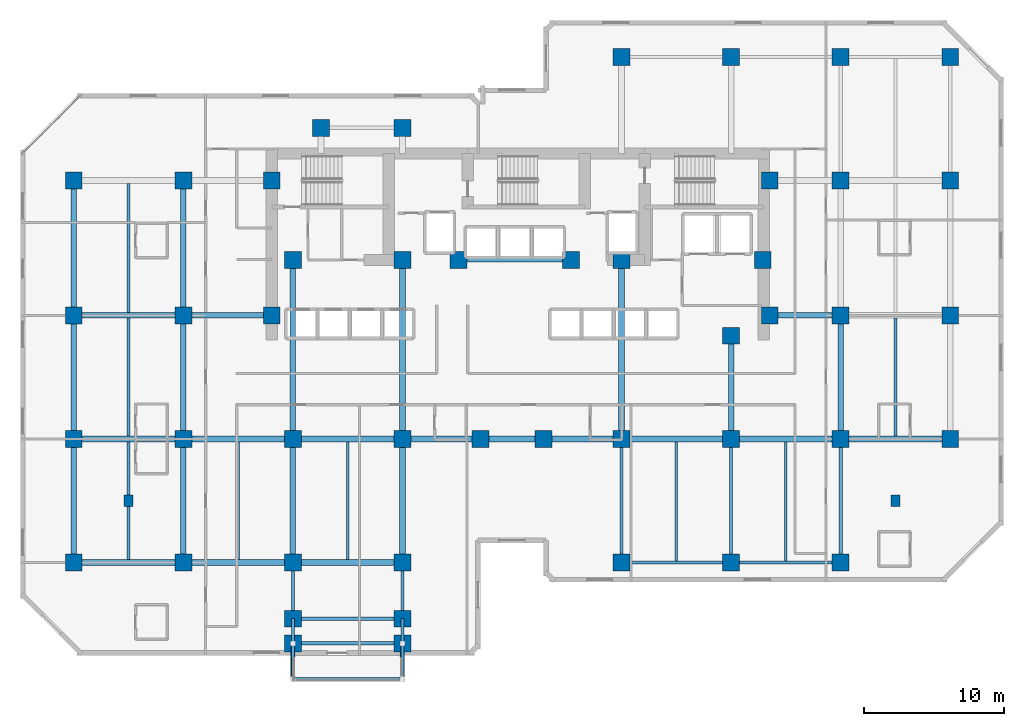
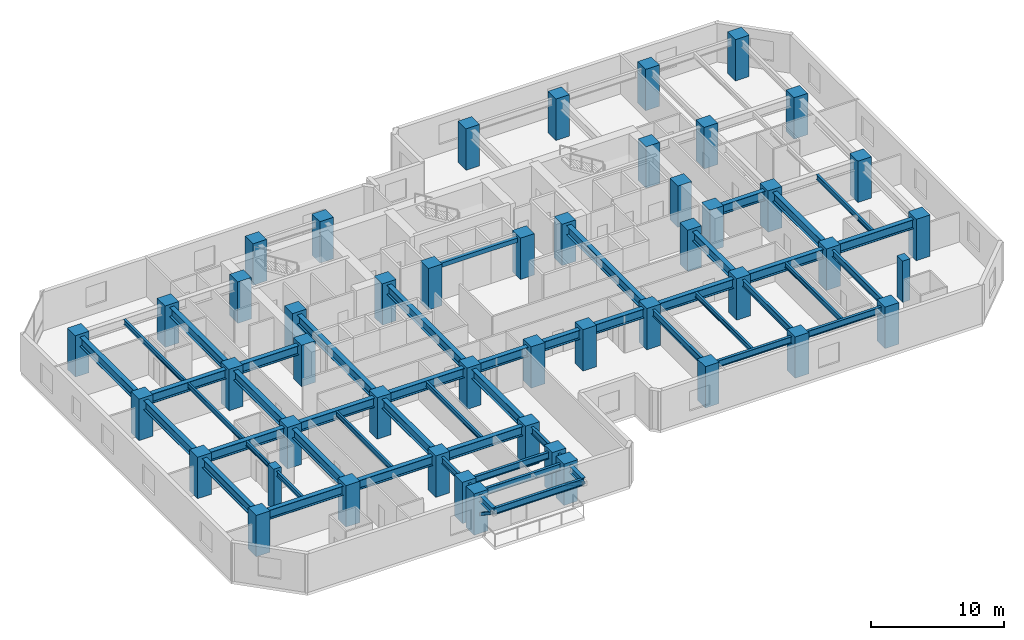
# One storey, part 1 of 12: 51 beams, 48 columns, 2 members.
"""IFC4 building model written with IfcOpenShell, lengths in metres."""

from ifc_helpers import new_model, si_unit, direction, frame, origin, origin_2d, place, context, subcontext, project, spatial, rectangle, hollow_rectangle, i_section, extrude, material, material_profile, profile_set, type_object, element, save


model = new_model("IFC4")

# Units and contexts
model_context = context("Model", 3, precision=1e-05, world=origin(), true_north=direction((0.0, 1.0)))
body_context = subcontext(model_context, "Body", "Model", "MODEL_VIEW")
ifc_project = project(units=[si_unit("LENGTHUNIT", "METRE"), si_unit("AREAUNIT", "SQUARE_METRE"), si_unit("VOLUMEUNIT", "CUBIC_METRE"), si_unit("PLANEANGLEUNIT", "RADIAN"), si_unit("MASSUNIT", "GRAM", prefix="KILO")], contexts=[model_context])

# Site, building, storey
site_placement = place(None, origin())
site = spatial("IfcSite", under=ifc_project, at=site_placement, CompositionType="ELEMENT")
building_placement = place(site_placement, origin())
building = spatial("IfcBuilding", under=site, at=building_placement, Name="Kestravale Grand Hotel", CompositionType="ELEMENT")
storey_placement = place(building_placement, frame((0.0, 0.0, 99.39990234375)))
storey = spatial("IfcBuildingStorey", under=building, at=storey_placement, Name="L24", CompositionType="ELEMENT", Elevation=99.39990234375)

# Columns
ifc_material_1 = material(Name="Precast concrete f'c 45 MPa", Category="concrete")
ifc_material_profile_1 = material_profile(ifc_material_1, rectangle(XDim=0.64990234375, YDim=0.85009765625, at=origin_2d()))
ifc_profile_set_1 = profile_set([ifc_material_profile_1], Name="Precast concrete f'c 45 MPa")
column_type_1 = type_object("IfcColumnType", Name="C-Z1-PIL850", PredefinedType="PILASTER", material=ifc_profile_set_1)
for number, where, z_axis, x_axis, name in (
    (1, (11.699951171875, 15.60009765625, 0.0), (0.0, 0.0, 1.0), (1.0, 0.0, 0.0), "L24 Art Deco fluted pilaster P1"),
    (2, (66.300048828125, 15.60009765625, 0.0), (0.0, 0.0, 1.0), (1.0, 0.0, 0.0), "L24 Art Deco fluted pilaster P2"),
):
    element("IfcColumn", number, at=place(storey_placement, frame(where, z_axis=z_axis, x_axis=x_axis)), inside=storey, type_object=column_type_1, Name=name, PredefinedType="PILASTER", context=body_context, shape_type="SweptSolid", body=[
        extrude(rectangle(XDim=0.64990234375, YDim=0.85009765625, at=origin_2d()), origin(), (0.0, 0.0, 1.0), 3.800048828125),
    ])
ifc_material_2 = material(Name="Concrete f'c 60 MPa", Category="concrete")
ifc_material_profile_2 = material_profile(ifc_material_2, rectangle(XDim=1.199951171875, YDim=1.199951171875, at=origin_2d()))
ifc_profile_set_2 = profile_set([ifc_material_profile_2], Name="Concrete f'c 60 MPa")
column_type_2 = type_object("IfcColumnType", Name="C-Z2-1200", PredefinedType="COLUMN", material=ifc_profile_set_2)
for number, where, z_axis, x_axis, name in (
    (3, (7.800048828125, 11.199951171875, 0.0), (0.0, 0.0, 1.0), (1.0, 0.0, 0.0), "L24 column 2-C"),
    (4, (7.800048828125, 20.0, 0.0), (0.0, 0.0, 1.0), (1.0, 0.0, 0.0), "L24 column 2-D"),
    (5, (7.800048828125, 28.800048828125, 0.0), (0.0, 0.0, 1.0), (1.0, 0.0, 0.0), "L24 column 2-E"),
    (6, (7.800048828125, 38.39990234375, 0.0), (0.0, 0.0, 1.0), (1.0, 0.0, 0.0), "L24 column 2-F"),
    (7, (15.60009765625, 11.199951171875, 0.0), (0.0, 0.0, 1.0), (1.0, 0.0, 0.0), "L24 column 3-C"),
    (8, (15.60009765625, 20.0, 0.0), (0.0, 0.0, 1.0), (1.0, 0.0, 0.0), "L24 column 3-D"),
    (9, (15.60009765625, 28.800048828125, 0.0), (0.0, 0.0, 1.0), (1.0, 0.0, 0.0), "L24 column 3-E"),
    (10, (15.60009765625, 38.39990234375, 0.0), (0.0, 0.0, 1.0), (1.0, 0.0, 0.0), "L24 column 3-F"),
    (11, (23.39990234375, 11.199951171875, 0.0), (0.0, 0.0, 1.0), (1.0, 0.0, 0.0), "L24 column 4-C"),
    (12, (23.39990234375, 20.0, 0.0), (0.0, 0.0, 1.0), (1.0, 0.0, 0.0), "L24 column 4-D"),
    (13, (31.199951171875, 11.199951171875, 0.0), (0.0, 0.0, 1.0), (1.0, 0.0, 0.0), "L24 column 5-C"),
    (14, (31.199951171875, 20.0, 0.0), (0.0, 0.0, 1.0), (1.0, 0.0, 0.0), "L24 column 5-D"),
    (15, (36.75, 20.0, 0.0), (0.0, 0.0, 1.0), (1.0, 0.0, 0.0), "L24 column 6-D"),
    (16, (41.25, 20.0, 0.0), (0.0, 0.0, 1.0), (1.0, 0.0, 0.0), "L24 column 7-D"),
    (17, (46.800048828125, 11.199951171875, 0.0), (0.0, 0.0, 1.0), (1.0, 0.0, 0.0), "L24 column 8-C"),
    (18, (46.800048828125, 20.0, 0.0), (0.0, 0.0, 1.0), (1.0, 0.0, 0.0), "L24 column 8-D"),
    (19, (46.800048828125, 47.199951171875, 0.0), (0.0, 0.0, 1.0), (1.0, 0.0, 0.0), "L24 column 8-G"),
    (20, (54.60009765625, 11.199951171875, 0.0), (0.0, 0.0, 1.0), (1.0, 0.0, 0.0), "L24 column 9-C"),
    (21, (54.60009765625, 20.0, 0.0), (0.0, 0.0, 1.0), (1.0, 0.0, 0.0), "L24 column 9-D"),
    (22, (54.60009765625, 47.199951171875, 0.0), (0.0, 0.0, 1.0), (1.0, 0.0, 0.0), "L24 column 9-G"),
    (23, (62.39990234375, 11.199951171875, 0.0), (0.0, 0.0, 1.0), (1.0, 0.0, 0.0), "L24 column 10-C"),
    (24, (62.39990234375, 20.0, 0.0), (0.0, 0.0, 1.0), (1.0, 0.0, 0.0), "L24 column 10-D"),
    (25, (62.39990234375, 28.800048828125, 0.0), (0.0, 0.0, 1.0), (1.0, 0.0, 0.0), "L24 column 10-E"),
    (26, (62.39990234375, 38.39990234375, 0.0), (0.0, 0.0, 1.0), (1.0, 0.0, 0.0), "L24 column 10-F"),
    (27, (62.39990234375, 47.199951171875, 0.0), (0.0, 0.0, 1.0), (1.0, 0.0, 0.0), "L24 column 10-G"),
    (28, (70.199951171875, 20.0, 0.0), (0.0, 0.0, 1.0), (1.0, 0.0, 0.0), "L24 column 11-D"),
    (29, (70.199951171875, 28.800048828125, 0.0), (0.0, 0.0, 1.0), (1.0, 0.0, 0.0), "L24 column 11-E"),
    (30, (70.199951171875, 38.39990234375, 0.0), (0.0, 0.0, 1.0), (1.0, 0.0, 0.0), "L24 column 11-F"),
    (31, (70.199951171875, 47.199951171875, 0.0), (0.0, 0.0, 1.0), (1.0, 0.0, 0.0), "L24 column 11-G"),
    (32, (21.89990234375, 28.800048828125, 0.0), (0.0, 0.0, 1.0), (1.0, 0.0, 0.0), "L24 column CW-E"),
    (33, (21.89990234375, 38.39990234375, 0.0), (0.0, 0.0, 1.0), (1.0, 0.0, 0.0), "L24 column CW-F"),
    (34, (57.35009765625, 28.800048828125, 0.0), (0.0, 0.0, 1.0), (1.0, 0.0, 0.0), "L24 column CE-E"),
    (35, (57.35009765625, 38.39990234375, 0.0), (0.0, 0.0, 1.0), (1.0, 0.0, 0.0), "L24 column CE-F"),
    (36, (23.39990234375, 32.75, 0.0), (0.0, 0.0, 1.0), (1.0, 0.0, 0.0), "L24 column 4-CS"),
    (37, (31.199951171875, 32.75, 0.0), (0.0, 0.0, 1.0), (1.0, 0.0, 0.0), "L24 column 5-CS"),
    (38, (35.199951171875, 32.75, 0.0), (0.0, 0.0, 1.0), (1.0, 0.0, 0.0), "L24 column 6C-CS"),
    (39, (43.199951171875, 32.75, 0.0), (0.0, 0.0, 1.0), (1.0, 0.0, 0.0), "L24 column 7C-CS"),
    (40, (46.800048828125, 32.75, 0.0), (0.0, 0.0, 1.0), (1.0, 0.0, 0.0), "L24 column 8-CS"),
    (41, (54.60009765625, 27.35009765625, 0.0), (0.0, 0.0, 1.0), (1.0, 0.0, 0.0), "L24 column 9-CS"),
    (42, (56.85009765625, 32.75, 0.0), (0.0, 0.0, 1.0), (1.0, 0.0, 0.0), "L24 column 9C-CS"),
    (43, (23.39990234375, 7.199951171875, 0.0), (0.0, 0.0, 1.0), (1.0, 0.0, 0.0), "L24 column 4-BS"),
    (44, (31.199951171875, 7.199951171875, 0.0), (0.0, 0.0, 1.0), (1.0, 0.0, 0.0), "L24 column 5-BS"),
    (45, (25.39990234375, 42.14990234375, 0.0), (0.0, 0.0, 1.0), (1.0, 0.0, 0.0), "L24 column 4-FN"),
    (46, (31.199951171875, 42.14990234375, 0.0), (0.0, 0.0, 1.0), (1.0, 0.0, 0.0), "L24 column 5-FN"),
    (47, (23.39990234375, 5.449951171875, 0.0), (0.0, 0.0, 1.0), (1.0, 0.0, 0.0), "L24 column 4-B1S"),
    (48, (31.199951171875, 5.449951171875, 0.0), (0.0, 0.0, 1.0), (1.0, 0.0, 0.0), "L24 column 5-B1S"),
):
    element("IfcColumn", number, at=place(storey_placement, frame(where, z_axis=z_axis, x_axis=x_axis)), inside=storey, type_object=column_type_2, Name=name, PredefinedType="COLUMN", context=body_context, shape_type="SweptSolid", body=[
        extrude(rectangle(XDim=1.199951171875, YDim=1.199951171875, at=origin_2d()), origin(), (0.0, 0.0, 1.0), 3.800048828125),
    ])

# Beams
ifc_material_3 = material(Name="Steel ASTM A992 Grade 50", Category="steel")
ifc_material_profile_3 = material_profile(ifc_material_3, i_section(OverallWidth=0.19091796875, OverallDepth=0.45703125, WebThickness=0.009033203125, FlangeThickness=0.014404296875, FilletRadius=0.015380859375, at=origin_2d()))
ifc_profile_set_3 = profile_set([ifc_material_profile_3], Name="Steel ASTM A992 Grade 50")
beam_type_1 = type_object("IfcBeamType", Name="B-FLR-JST18", PredefinedType="JOIST", material=ifc_profile_set_3)
for number, where, z_axis, x_axis, name in (
    (49, (11.699951171875, 11.400390625, 3.3115234375), (0.0, 1.0, 0.0), (-1.0, 0.0, 0.0), "L24 floor joist 2-3/C-D #1"),
    (50, (11.699951171875, 20.200439453125, 3.3115234375), (0.0, 1.0, 0.0), (-1.0, 0.0, 0.0), "L24 floor joist 2-3/D-E #1"),
):
    element("IfcBeam", number, at=place(storey_placement, frame(where, z_axis=z_axis, x_axis=x_axis)), inside=storey, type_object=beam_type_1, Name=name, PredefinedType="JOIST", context=body_context, shape_type="SweptSolid", body=[
        extrude(i_section(OverallWidth=0.19091796875, OverallDepth=0.45703125, WebThickness=0.009033203125, FlangeThickness=0.014404296875, FilletRadius=0.015380859375, at=origin_2d()), origin(), (0.0, 0.0, 1.0), 8.399169921875),
    ])
beam_1_placement = place(storey_placement, frame((11.699951171875, 29.00048828125, 3.3115234375), z_axis=(0.0, 1.0, 0.0), x_axis=(-1.0, 0.0, 0.0)))
element("IfcBeam", 51, at=beam_1_placement, inside=storey, type_object=beam_type_1, Name="L24 floor joist 2-3/E-F #1", PredefinedType="JOIST", context=body_context, shape_type="SweptSolid", body=[
    extrude(i_section(OverallWidth=0.19091796875, OverallDepth=0.45703125, WebThickness=0.009033203125, FlangeThickness=0.014404296875, FilletRadius=0.015380859375, at=origin_2d()), origin(), (0.0, 0.0, 1.0), 9.198974609375),
])
for number, where, z_axis, x_axis, name in (
    (52, (19.5, 11.400390625, 3.3115234375), (0.0, 1.0, 0.0), (-1.0, 0.0, 0.0), "L24 floor joist 3-4/C-D #1"),
    (53, (27.300048828125, 11.400390625, 3.3115234375), (0.0, 1.0, 0.0), (-1.0, 0.0, 0.0), "L24 floor joist 4-5/C-D #1"),
):
    element("IfcBeam", number, at=place(storey_placement, frame(where, z_axis=z_axis, x_axis=x_axis)), inside=storey, type_object=beam_type_1, Name=name, PredefinedType="JOIST", context=body_context, shape_type="SweptSolid", body=[
        extrude(i_section(OverallWidth=0.19091796875, OverallDepth=0.45703125, WebThickness=0.009033203125, FlangeThickness=0.014404296875, FilletRadius=0.015380859375, at=origin_2d()), origin(), (0.0, 0.0, 1.0), 8.399169921875),
    ])
for number, where, z_axis, x_axis, name in (
    (54, (50.699951171875, 11.314453125, 3.3115234375), (0.0, 1.0, 0.0), (-1.0, 0.0, 0.0), "L24 floor joist 8-9/C-D #1"),
    (55, (58.5, 11.314453125, 3.3115234375), (0.0, 1.0, 0.0), (-1.0, 0.0, 0.0), "L24 floor joist 9-10/C-D #1"),
):
    element("IfcBeam", number, at=place(storey_placement, frame(where, z_axis=z_axis, x_axis=x_axis)), inside=storey, type_object=beam_type_1, Name=name, PredefinedType="JOIST", context=body_context, shape_type="SweptSolid", body=[
        extrude(i_section(OverallWidth=0.19091796875, OverallDepth=0.45703125, WebThickness=0.009033203125, FlangeThickness=0.014404296875, FilletRadius=0.015380859375, at=origin_2d()), origin(), (0.0, 0.0, 1.0), 8.485107421875),
    ])
beam_2_placement = place(storey_placement, frame((66.300048828125, 20.200439453125, 3.3115234375), z_axis=(0.0, 1.0, 0.0), x_axis=(-1.0, 0.0, 0.0)))
element("IfcBeam", 56, at=beam_2_placement, inside=storey, type_object=beam_type_1, Name="L24 floor joist 10-11/D-E #1", PredefinedType="JOIST", context=body_context, shape_type="SweptSolid", body=[
    extrude(i_section(OverallWidth=0.19091796875, OverallDepth=0.45703125, WebThickness=0.009033203125, FlangeThickness=0.014404296875, FilletRadius=0.015380859375, at=origin_2d()), origin(), (0.0, 0.0, 1.0), 8.399169921875),
])
ifc_material_4 = material(Name="Concrete f'c 45 MPa", Category="concrete")
ifc_material_profile_4 = material_profile(ifc_material_4, rectangle(XDim=0.300048828125, YDim=0.39990234375, at=origin_2d()))
ifc_profile_set_4 = profile_set([ifc_material_profile_4], Name="Concrete f'c 45 MPa")
beam_type_2 = type_object("IfcBeamType", Name="B-FLR-LNT400", PredefinedType="LINTEL", material=ifc_profile_set_4)
beam_3_placement = place(storey_placement, frame((35.199951171875, 32.75, 3.340087890625), z_axis=(1.0, 0.0, 0.0), x_axis=(0.0, 1.0, 0.0)))
element("IfcBeam", 57, at=beam_3_placement, inside=storey, type_object=beam_type_2, Name="L24 core portal header lintel", PredefinedType="LINTEL", context=body_context, shape_type="SweptSolid", body=[
    extrude(rectangle(XDim=0.300048828125, YDim=0.39990234375, at=origin_2d()), origin(), (0.0, 0.0, 1.0), 8.0),
])
ifc_material_5 = material(Name="Steel ASTM A992 Grade 50", Category="steel")
ifc_material_profile_5 = material_profile(ifc_material_5, i_section(OverallWidth=0.324951171875, OverallDepth=0.612060546875, WebThickness=0.0126953125, FlangeThickness=0.01904296875, FilletRadius=0.018798828125, at=origin_2d()))
ifc_profile_set_5 = profile_set([ifc_material_profile_5], Name="Steel ASTM A992 Grade 50")
beam_type_3 = type_object("IfcBeamType", Name="B-FLR-W24A", PredefinedType="SPANDREL", material=ifc_profile_set_5)
for number, where, z_axis, x_axis, name in (
    (58, (23.39990234375, 5.449951171875, 3.22412109375), (0.0, -1.0, 0.0), (1.0, 0.0, 0.0), "L25 terrace cantilever beam 1"),
    (59, (31.199951171875, 5.449951171875, 3.22412109375), (0.0, -1.0, 0.0), (1.0, 0.0, 0.0), "L25 terrace cantilever beam 2"),
):
    element("IfcBeam", number, at=place(storey_placement, frame(where, z_axis=z_axis, x_axis=x_axis)), inside=storey, type_object=beam_type_3, Name=name, PredefinedType="SPANDREL", context=body_context, shape_type="SweptSolid", body=[
        extrude(i_section(OverallWidth=0.324951171875, OverallDepth=0.612060546875, WebThickness=0.0126953125, FlangeThickness=0.01904296875, FilletRadius=0.018798828125, at=origin_2d()), origin(), (0.0, 0.0, 1.0), 2.550048828125),
    ])
ifc_material_6 = material(Name="Steel ASTM A992 Grade 50", Category="steel")
ifc_material_profile_6 = material_profile(ifc_material_6, i_section(OverallWidth=0.22900390625, OverallDepth=0.612060546875, WebThickness=0.011962890625, FlangeThickness=0.01953125, FilletRadius=0.019287109375, at=origin_2d()))
ifc_profile_set_6 = profile_set([ifc_material_profile_6], Name="Steel ASTM A992 Grade 50")
beam_type_4 = type_object("IfcBeamType", Name="B-FLR-W24B", PredefinedType="SPANDREL", material=ifc_profile_set_6)
beam_4_placement = place(storey_placement, frame((46.800048828125, 11.199951171875, 3.234130859375), z_axis=(1.0, 0.0, 0.0), x_axis=(0.0, 1.0, 0.0)))
element("IfcBeam", 60, at=beam_4_placement, inside=storey, type_object=beam_type_4, Name="L24 spandrel C:8-9", PredefinedType="SPANDREL", context=body_context, shape_type="SweptSolid", body=[
    extrude(i_section(OverallWidth=0.22900390625, OverallDepth=0.612060546875, WebThickness=0.011962890625, FlangeThickness=0.01953125, FilletRadius=0.019287109375, at=origin_2d()), origin(), (0.0, 0.0, 1.0), 7.800048828125),
])
beam_5_placement = place(storey_placement, frame((54.60009765625, 11.199951171875, 3.234130859375), z_axis=(1.0, 0.0, 0.0), x_axis=(0.0, 1.0, 0.0)))
element("IfcBeam", 61, at=beam_5_placement, inside=storey, type_object=beam_type_4, Name="L24 spandrel C:9-10", PredefinedType="SPANDREL", context=body_context, shape_type="SweptSolid", body=[
    extrude(i_section(OverallWidth=0.22900390625, OverallDepth=0.612060546875, WebThickness=0.011962890625, FlangeThickness=0.01953125, FilletRadius=0.019287109375, at=origin_2d()), origin(), (0.0, 0.0, 1.0), 7.7998046875),
])
for number, where, z_axis, x_axis, name in (
    (62, (23.39990234375, 5.449951171875, 3.234130859375), (1.0, 0.0, 0.0), (0.0, 1.0, 0.0), "L24 perimeter tie spandrel B1S:4-5"),
    (63, (23.39990234375, 7.199951171875, 3.234130859375), (1.0, 0.0, 0.0), (0.0, 1.0, 0.0), "L24 perimeter tie spandrel BS:4-5"),
):
    element("IfcBeam", number, at=place(storey_placement, frame(where, z_axis=z_axis, x_axis=x_axis)), inside=storey, type_object=beam_type_4, Name=name, PredefinedType="SPANDREL", context=body_context, shape_type="SweptSolid", body=[
        extrude(i_section(OverallWidth=0.22900390625, OverallDepth=0.612060546875, WebThickness=0.011962890625, FlangeThickness=0.01953125, FilletRadius=0.019287109375, at=origin_2d()), origin(), (0.0, 0.0, 1.0), 7.800048828125),
    ])
beam_6_placement = place(storey_placement, frame((23.39990234375, 5.449951171875, 3.234130859375), z_axis=(0.0, 1.0, 0.0), x_axis=(-1.0, 0.0, 0.0)))
element("IfcBeam", 64, at=beam_6_placement, inside=storey, type_object=beam_type_4, Name="L24 spandrel 4:B1S-BS", PredefinedType="SPANDREL", context=body_context, shape_type="SweptSolid", body=[
    extrude(i_section(OverallWidth=0.22900390625, OverallDepth=0.612060546875, WebThickness=0.011962890625, FlangeThickness=0.01953125, FilletRadius=0.019287109375, at=origin_2d()), origin(), (0.0, 0.0, 1.0), 1.75),
])
beam_7_placement = place(storey_placement, frame((23.39990234375, 7.199951171875, 3.234130859375), z_axis=(0.0, 1.0, 0.0), x_axis=(-1.0, 0.0, 0.0)))
element("IfcBeam", 65, at=beam_7_placement, inside=storey, type_object=beam_type_4, Name="L24 spandrel 4:BS-C", PredefinedType="SPANDREL", context=body_context, shape_type="SweptSolid", body=[
    extrude(i_section(OverallWidth=0.22900390625, OverallDepth=0.612060546875, WebThickness=0.011962890625, FlangeThickness=0.01953125, FilletRadius=0.019287109375, at=origin_2d()), origin(), (0.0, 0.0, 1.0), 4.0),
])
beam_8_placement = place(storey_placement, frame((31.199951171875, 5.449951171875, 3.234130859375), z_axis=(0.0, 1.0, 0.0), x_axis=(-1.0, 0.0, 0.0)))
element("IfcBeam", 66, at=beam_8_placement, inside=storey, type_object=beam_type_4, Name="L24 spandrel 5:B1S-BS", PredefinedType="SPANDREL", context=body_context, shape_type="SweptSolid", body=[
    extrude(i_section(OverallWidth=0.22900390625, OverallDepth=0.612060546875, WebThickness=0.011962890625, FlangeThickness=0.01953125, FilletRadius=0.019287109375, at=origin_2d()), origin(), (0.0, 0.0, 1.0), 1.75),
])
beam_9_placement = place(storey_placement, frame((31.199951171875, 7.199951171875, 3.234130859375), z_axis=(0.0, 1.0, 0.0), x_axis=(-1.0, 0.0, 0.0)))
element("IfcBeam", 67, at=beam_9_placement, inside=storey, type_object=beam_type_4, Name="L24 spandrel 5:BS-C", PredefinedType="SPANDREL", context=body_context, shape_type="SweptSolid", body=[
    extrude(i_section(OverallWidth=0.22900390625, OverallDepth=0.612060546875, WebThickness=0.011962890625, FlangeThickness=0.01953125, FilletRadius=0.019287109375, at=origin_2d()), origin(), (0.0, 0.0, 1.0), 4.0),
])
for number, where, z_axis, x_axis, name in (
    (68, (46.800048828125, 11.199951171875, 3.234130859375), (0.0, 1.0, 0.0), (-1.0, 0.0, 0.0), "L24 spandrel 8:C-D"),
    (69, (54.60009765625, 11.199951171875, 3.234130859375), (0.0, 1.0, 0.0), (-1.0, 0.0, 0.0), "L24 spandrel 9:C-D"),
    (70, (62.39990234375, 11.199951171875, 3.234130859375), (0.0, 1.0, 0.0), (-1.0, 0.0, 0.0), "L24 spandrel 10:C-D"),
):
    element("IfcBeam", number, at=place(storey_placement, frame(where, z_axis=z_axis, x_axis=x_axis)), inside=storey, type_object=beam_type_4, Name=name, PredefinedType="SPANDREL", context=body_context, shape_type="SweptSolid", body=[
        extrude(i_section(OverallWidth=0.22900390625, OverallDepth=0.612060546875, WebThickness=0.011962890625, FlangeThickness=0.01953125, FilletRadius=0.019287109375, at=origin_2d()), origin(), (0.0, 0.0, 1.0), 8.800048828125),
    ])
beam_10_placement = place(storey_placement, frame((23.39990234375, 2.89990234375, 3.22412109375), z_axis=(1.0, 0.0, 0.0), x_axis=(0.0, 1.0, 0.0)))
element("IfcBeam", 71, at=beam_10_placement, inside=storey, type_object=beam_type_4, Name="L25 terrace edge spandrel", PredefinedType="SPANDREL", context=body_context, shape_type="SweptSolid", body=[
    extrude(i_section(OverallWidth=0.22900390625, OverallDepth=0.612060546875, WebThickness=0.011962890625, FlangeThickness=0.01953125, FilletRadius=0.019287109375, at=origin_2d()), origin(), (0.0, 0.0, 1.0), 7.800048828125),
])
ifc_material_7 = material(Name="Steel ASTM A992 Grade 50", Category="steel")
ifc_material_profile_7 = material_profile(ifc_material_7, i_section(OverallWidth=0.40087890625, OverallDepth=0.861083984375, WebThickness=0.019775390625, FlangeThickness=0.032470703125, FilletRadius=0.0234375, at=origin_2d()))
ifc_profile_set_7 = profile_set([ifc_material_profile_7], Name="Steel ASTM A992 Grade 50")
beam_type_5 = type_object("IfcBeamType", Name="B-GRD-W33", PredefinedType="BEAM", material=ifc_profile_set_7)
beam_11_placement = place(storey_placement, frame((7.800048828125, 11.199951171875, 3.109619140625), z_axis=(1.0, 0.0, 0.0), x_axis=(0.0, 1.0, 0.0)))
element("IfcBeam", 72, at=beam_11_placement, inside=storey, type_object=beam_type_5, Name="L24 girder C:2-3", PredefinedType="BEAM", context=body_context, shape_type="SweptSolid", body=[
    extrude(i_section(OverallWidth=0.40087890625, OverallDepth=0.861083984375, WebThickness=0.019775390625, FlangeThickness=0.032470703125, FilletRadius=0.0234375, at=origin_2d()), origin(), (0.0, 0.0, 1.0), 7.800048828125),
])
beam_12_placement = place(storey_placement, frame((15.60009765625, 11.199951171875, 3.109619140625), z_axis=(1.0, 0.0, 0.0), x_axis=(0.0, 1.0, 0.0)))
element("IfcBeam", 73, at=beam_12_placement, inside=storey, type_object=beam_type_5, Name="L24 girder C:3-4", PredefinedType="BEAM", context=body_context, shape_type="SweptSolid", body=[
    extrude(i_section(OverallWidth=0.40087890625, OverallDepth=0.861083984375, WebThickness=0.019775390625, FlangeThickness=0.032470703125, FilletRadius=0.0234375, at=origin_2d()), origin(), (0.0, 0.0, 1.0), 7.7998046875),
])
for number, where, z_axis, x_axis, name in (
    (74, (23.39990234375, 11.199951171875, 3.109619140625), (1.0, 0.0, 0.0), (0.0, 1.0, 0.0), "L24 girder C:4-5"),
    (75, (7.800048828125, 20.0, 3.109619140625), (1.0, 0.0, 0.0), (0.0, 1.0, 0.0), "L24 girder D:2-3"),
):
    element("IfcBeam", number, at=place(storey_placement, frame(where, z_axis=z_axis, x_axis=x_axis)), inside=storey, type_object=beam_type_5, Name=name, PredefinedType="BEAM", context=body_context, shape_type="SweptSolid", body=[
        extrude(i_section(OverallWidth=0.40087890625, OverallDepth=0.861083984375, WebThickness=0.019775390625, FlangeThickness=0.032470703125, FilletRadius=0.0234375, at=origin_2d()), origin(), (0.0, 0.0, 1.0), 7.800048828125),
    ])
beam_13_placement = place(storey_placement, frame((15.60009765625, 20.0, 3.109619140625), z_axis=(1.0, 0.0, 0.0), x_axis=(0.0, 1.0, 0.0)))
element("IfcBeam", 76, at=beam_13_placement, inside=storey, type_object=beam_type_5, Name="L24 girder D:3-4", PredefinedType="BEAM", context=body_context, shape_type="SweptSolid", body=[
    extrude(i_section(OverallWidth=0.40087890625, OverallDepth=0.861083984375, WebThickness=0.019775390625, FlangeThickness=0.032470703125, FilletRadius=0.0234375, at=origin_2d()), origin(), (0.0, 0.0, 1.0), 7.7998046875),
])
beam_14_placement = place(storey_placement, frame((23.39990234375, 20.0, 3.109619140625), z_axis=(1.0, 0.0, 0.0), x_axis=(0.0, 1.0, 0.0)))
element("IfcBeam", 77, at=beam_14_placement, inside=storey, type_object=beam_type_5, Name="L24 girder D:4-5", PredefinedType="BEAM", context=body_context, shape_type="SweptSolid", body=[
    extrude(i_section(OverallWidth=0.40087890625, OverallDepth=0.861083984375, WebThickness=0.019775390625, FlangeThickness=0.032470703125, FilletRadius=0.0234375, at=origin_2d()), origin(), (0.0, 0.0, 1.0), 7.800048828125),
])
beam_15_placement = place(storey_placement, frame((31.199951171875, 20.0, 3.109619140625), z_axis=(1.0, 0.0, 0.0), x_axis=(0.0, 1.0, 0.0)))
element("IfcBeam", 78, at=beam_15_placement, inside=storey, type_object=beam_type_5, Name="L24 girder D:5-6", PredefinedType="BEAM", context=body_context, shape_type="SweptSolid", body=[
    extrude(i_section(OverallWidth=0.40087890625, OverallDepth=0.861083984375, WebThickness=0.019775390625, FlangeThickness=0.032470703125, FilletRadius=0.0234375, at=origin_2d()), origin(), (0.0, 0.0, 1.0), 5.550048828125),
])
beam_16_placement = place(storey_placement, frame((36.75, 20.0, 3.109619140625), z_axis=(1.0, 0.0, 0.0), x_axis=(0.0, 1.0, 0.0)))
element("IfcBeam", 79, at=beam_16_placement, inside=storey, type_object=beam_type_5, Name="L24 girder D:6-7", PredefinedType="BEAM", context=body_context, shape_type="SweptSolid", body=[
    extrude(i_section(OverallWidth=0.40087890625, OverallDepth=0.861083984375, WebThickness=0.019775390625, FlangeThickness=0.032470703125, FilletRadius=0.0234375, at=origin_2d()), origin(), (0.0, 0.0, 1.0), 4.5),
])
beam_17_placement = place(storey_placement, frame((41.25, 20.0, 3.109619140625), z_axis=(1.0, 0.0, 0.0), x_axis=(0.0, 1.0, 0.0)))
element("IfcBeam", 80, at=beam_17_placement, inside=storey, type_object=beam_type_5, Name="L24 girder D:7-8", PredefinedType="BEAM", context=body_context, shape_type="SweptSolid", body=[
    extrude(i_section(OverallWidth=0.40087890625, OverallDepth=0.861083984375, WebThickness=0.019775390625, FlangeThickness=0.032470703125, FilletRadius=0.0234375, at=origin_2d()), origin(), (0.0, 0.0, 1.0), 5.550048828125),
])
beam_18_placement = place(storey_placement, frame((46.800048828125, 20.0, 3.109619140625), z_axis=(1.0, 0.0, 0.0), x_axis=(0.0, 1.0, 0.0)))
element("IfcBeam", 81, at=beam_18_placement, inside=storey, type_object=beam_type_5, Name="L24 girder D:8-9", PredefinedType="BEAM", context=body_context, shape_type="SweptSolid", body=[
    extrude(i_section(OverallWidth=0.40087890625, OverallDepth=0.861083984375, WebThickness=0.019775390625, FlangeThickness=0.032470703125, FilletRadius=0.0234375, at=origin_2d()), origin(), (0.0, 0.0, 1.0), 7.800048828125),
])
beam_19_placement = place(storey_placement, frame((54.60009765625, 20.0, 3.109619140625), z_axis=(1.0, 0.0, 0.0), x_axis=(0.0, 1.0, 0.0)))
element("IfcBeam", 82, at=beam_19_placement, inside=storey, type_object=beam_type_5, Name="L24 girder D:9-10", PredefinedType="BEAM", context=body_context, shape_type="SweptSolid", body=[
    extrude(i_section(OverallWidth=0.40087890625, OverallDepth=0.861083984375, WebThickness=0.019775390625, FlangeThickness=0.032470703125, FilletRadius=0.0234375, at=origin_2d()), origin(), (0.0, 0.0, 1.0), 7.7998046875),
])
for number, where, z_axis, x_axis, name in (
    (83, (62.39990234375, 20.0, 3.109619140625), (1.0, 0.0, 0.0), (0.0, 1.0, 0.0), "L24 girder D:10-11"),
    (84, (7.800048828125, 28.800048828125, 3.109619140625), (1.0, 0.0, 0.0), (0.0, 1.0, 0.0), "L24 girder E:2-3"),
):
    element("IfcBeam", number, at=place(storey_placement, frame(where, z_axis=z_axis, x_axis=x_axis)), inside=storey, type_object=beam_type_5, Name=name, PredefinedType="BEAM", context=body_context, shape_type="SweptSolid", body=[
        extrude(i_section(OverallWidth=0.40087890625, OverallDepth=0.861083984375, WebThickness=0.019775390625, FlangeThickness=0.032470703125, FilletRadius=0.0234375, at=origin_2d()), origin(), (0.0, 0.0, 1.0), 7.800048828125),
    ])
beam_20_placement = place(storey_placement, frame((15.60009765625, 28.800048828125, 3.109619140625), z_axis=(1.0, 0.0, 0.0), x_axis=(0.0, 1.0, 0.0)))
element("IfcBeam", 85, at=beam_20_placement, inside=storey, type_object=beam_type_5, Name="L24 girder E:3-CW", PredefinedType="BEAM", context=body_context, shape_type="SweptSolid", body=[
    extrude(i_section(OverallWidth=0.40087890625, OverallDepth=0.861083984375, WebThickness=0.019775390625, FlangeThickness=0.032470703125, FilletRadius=0.0234375, at=origin_2d()), origin(), (0.0, 0.0, 1.0), 6.2998046875),
])
beam_21_placement = place(storey_placement, frame((57.35009765625, 28.800048828125, 3.109619140625), z_axis=(1.0, 0.0, 0.0), x_axis=(0.0, 1.0, 0.0)))
element("IfcBeam", 86, at=beam_21_placement, inside=storey, type_object=beam_type_5, Name="L24 girder E:CE-10", PredefinedType="BEAM", context=body_context, shape_type="SweptSolid", body=[
    extrude(i_section(OverallWidth=0.40087890625, OverallDepth=0.861083984375, WebThickness=0.019775390625, FlangeThickness=0.032470703125, FilletRadius=0.0234375, at=origin_2d()), origin(), (0.0, 0.0, 1.0), 5.0498046875),
])
for number, where, z_axis, x_axis, name in (
    (87, (7.800048828125, 11.199951171875, 3.109619140625), (0.0, 1.0, 0.0), (-1.0, 0.0, 0.0), "L24 girder 2:C-D"),
    (88, (7.800048828125, 20.0, 3.109619140625), (0.0, 1.0, 0.0), (-1.0, 0.0, 0.0), "L24 girder 2:D-E"),
):
    element("IfcBeam", number, at=place(storey_placement, frame(where, z_axis=z_axis, x_axis=x_axis)), inside=storey, type_object=beam_type_5, Name=name, PredefinedType="BEAM", context=body_context, shape_type="SweptSolid", body=[
        extrude(i_section(OverallWidth=0.40087890625, OverallDepth=0.861083984375, WebThickness=0.019775390625, FlangeThickness=0.032470703125, FilletRadius=0.0234375, at=origin_2d()), origin(), (0.0, 0.0, 1.0), 8.800048828125),
    ])
beam_22_placement = place(storey_placement, frame((7.800048828125, 28.800048828125, 3.109619140625), z_axis=(0.0, 1.0, 0.0), x_axis=(-1.0, 0.0, 0.0)))
element("IfcBeam", 89, at=beam_22_placement, inside=storey, type_object=beam_type_5, Name="L24 girder 2:E-F", PredefinedType="BEAM", context=body_context, shape_type="SweptSolid", body=[
    extrude(i_section(OverallWidth=0.40087890625, OverallDepth=0.861083984375, WebThickness=0.019775390625, FlangeThickness=0.032470703125, FilletRadius=0.0234375, at=origin_2d()), origin(), (0.0, 0.0, 1.0), 9.599853515625),
])
for number, where, z_axis, x_axis, name in (
    (90, (15.60009765625, 11.199951171875, 3.109619140625), (0.0, 1.0, 0.0), (-1.0, 0.0, 0.0), "L24 girder 3:C-D"),
    (91, (15.60009765625, 20.0, 3.109619140625), (0.0, 1.0, 0.0), (-1.0, 0.0, 0.0), "L24 girder 3:D-E"),
):
    element("IfcBeam", number, at=place(storey_placement, frame(where, z_axis=z_axis, x_axis=x_axis)), inside=storey, type_object=beam_type_5, Name=name, PredefinedType="BEAM", context=body_context, shape_type="SweptSolid", body=[
        extrude(i_section(OverallWidth=0.40087890625, OverallDepth=0.861083984375, WebThickness=0.019775390625, FlangeThickness=0.032470703125, FilletRadius=0.0234375, at=origin_2d()), origin(), (0.0, 0.0, 1.0), 8.800048828125),
    ])
beam_23_placement = place(storey_placement, frame((15.60009765625, 28.800048828125, 3.109619140625), z_axis=(0.0, 1.0, 0.0), x_axis=(-1.0, 0.0, 0.0)))
element("IfcBeam", 92, at=beam_23_placement, inside=storey, type_object=beam_type_5, Name="L24 girder 3:E-F", PredefinedType="BEAM", context=body_context, shape_type="SweptSolid", body=[
    extrude(i_section(OverallWidth=0.40087890625, OverallDepth=0.861083984375, WebThickness=0.019775390625, FlangeThickness=0.032470703125, FilletRadius=0.0234375, at=origin_2d()), origin(), (0.0, 0.0, 1.0), 9.599853515625),
])
beam_24_placement = place(storey_placement, frame((23.39990234375, 11.199951171875, 3.109619140625), z_axis=(0.0, 1.0, 0.0), x_axis=(-1.0, 0.0, 0.0)))
element("IfcBeam", 93, at=beam_24_placement, inside=storey, type_object=beam_type_5, Name="L24 girder 4:C-D", PredefinedType="BEAM", context=body_context, shape_type="SweptSolid", body=[
    extrude(i_section(OverallWidth=0.40087890625, OverallDepth=0.861083984375, WebThickness=0.019775390625, FlangeThickness=0.032470703125, FilletRadius=0.0234375, at=origin_2d()), origin(), (0.0, 0.0, 1.0), 8.800048828125),
])
beam_25_placement = place(storey_placement, frame((23.39990234375, 20.0, 3.109619140625), z_axis=(0.0, 1.0, 0.0), x_axis=(-1.0, 0.0, 0.0)))
element("IfcBeam", 94, at=beam_25_placement, inside=storey, type_object=beam_type_5, Name="L24 girder 4:D-CS", PredefinedType="BEAM", context=body_context, shape_type="SweptSolid", body=[
    extrude(i_section(OverallWidth=0.40087890625, OverallDepth=0.861083984375, WebThickness=0.019775390625, FlangeThickness=0.032470703125, FilletRadius=0.0234375, at=origin_2d()), origin(), (0.0, 0.0, 1.0), 12.75),
])
beam_26_placement = place(storey_placement, frame((31.199951171875, 11.199951171875, 3.109619140625), z_axis=(0.0, 1.0, 0.0), x_axis=(-1.0, 0.0, 0.0)))
element("IfcBeam", 95, at=beam_26_placement, inside=storey, type_object=beam_type_5, Name="L24 girder 5:C-D", PredefinedType="BEAM", context=body_context, shape_type="SweptSolid", body=[
    extrude(i_section(OverallWidth=0.40087890625, OverallDepth=0.861083984375, WebThickness=0.019775390625, FlangeThickness=0.032470703125, FilletRadius=0.0234375, at=origin_2d()), origin(), (0.0, 0.0, 1.0), 8.800048828125),
])
for number, where, z_axis, x_axis, name in (
    (96, (31.199951171875, 20.0, 3.109619140625), (0.0, 1.0, 0.0), (-1.0, 0.0, 0.0), "L24 girder 5:D-CS"),
    (97, (46.800048828125, 20.0, 3.109619140625), (0.0, 1.0, 0.0), (-1.0, 0.0, 0.0), "L24 girder 8:D-CS"),
):
    element("IfcBeam", number, at=place(storey_placement, frame(where, z_axis=z_axis, x_axis=x_axis)), inside=storey, type_object=beam_type_5, Name=name, PredefinedType="BEAM", context=body_context, shape_type="SweptSolid", body=[
        extrude(i_section(OverallWidth=0.40087890625, OverallDepth=0.861083984375, WebThickness=0.019775390625, FlangeThickness=0.032470703125, FilletRadius=0.0234375, at=origin_2d()), origin(), (0.0, 0.0, 1.0), 12.75),
    ])
beam_27_placement = place(storey_placement, frame((54.60009765625, 20.0, 3.109619140625), z_axis=(0.0, 1.0, 0.0), x_axis=(-1.0, 0.0, 0.0)))
element("IfcBeam", 98, at=beam_27_placement, inside=storey, type_object=beam_type_5, Name="L24 girder 9:D-CS", PredefinedType="BEAM", context=body_context, shape_type="SweptSolid", body=[
    extrude(i_section(OverallWidth=0.40087890625, OverallDepth=0.861083984375, WebThickness=0.019775390625, FlangeThickness=0.032470703125, FilletRadius=0.0234375, at=origin_2d()), origin(), (0.0, 0.0, 1.0), 7.35009765625),
])
beam_28_placement = place(storey_placement, frame((62.39990234375, 20.0, 3.109619140625), z_axis=(0.0, 1.0, 0.0), x_axis=(-1.0, 0.0, 0.0)))
element("IfcBeam", 99, at=beam_28_placement, inside=storey, type_object=beam_type_5, Name="L24 girder 10:D-E", PredefinedType="BEAM", context=body_context, shape_type="SweptSolid", body=[
    extrude(i_section(OverallWidth=0.40087890625, OverallDepth=0.861083984375, WebThickness=0.019775390625, FlangeThickness=0.032470703125, FilletRadius=0.0234375, at=origin_2d()), origin(), (0.0, 0.0, 1.0), 8.800048828125),
])

# Members
ifc_material_8 = material(Name="Steel ASTM A500 Grade C", Category="steel")
ifc_material_profile_8 = material_profile(ifc_material_8, hollow_rectangle(XDim=0.25, YDim=0.25, WallThickness=0.011962890625, InnerFilletRadius=0.011962890625, OuterFilletRadius=0.02392578125, at=origin_2d()))
ifc_profile_set_8 = profile_set([ifc_material_profile_8], Name="Steel ASTM A500 Grade C")
member_type = type_object("IfcMemberType", Name="M-BLT-STR250", PredefinedType="STRUT", material=ifc_profile_set_8)
for number, where, z_axis, x_axis, name in (
    (100, (23.39990234375, 5.449951171875, 1.3740234375), (0.0, -0.832025783431, 0.554736960825), (1.0, 0.0, 0.0), "L25 terrace knee-brace strut 1"),
    (101, (31.199951171875, 5.449951171875, 1.3740234375), (0.0, -0.832025783431, 0.554736960825), (1.0, 0.0, 0.0), "L25 terrace knee-brace strut 2"),
):
    element("IfcMember", number, at=place(storey_placement, frame(where, z_axis=z_axis, x_axis=x_axis)), inside=storey, type_object=member_type, Name=name, PredefinedType="STRUT", context=body_context, shape_type="SweptSolid", body=[
        extrude(hollow_rectangle(XDim=0.25, YDim=0.25, WallThickness=0.011962890625, InnerFilletRadius=0.011962890625, OuterFilletRadius=0.02392578125, at=origin_2d()), origin(), (0.0, 0.0, 1.0), 3.06494140625),
    ])

save(model, "model.ifc")
